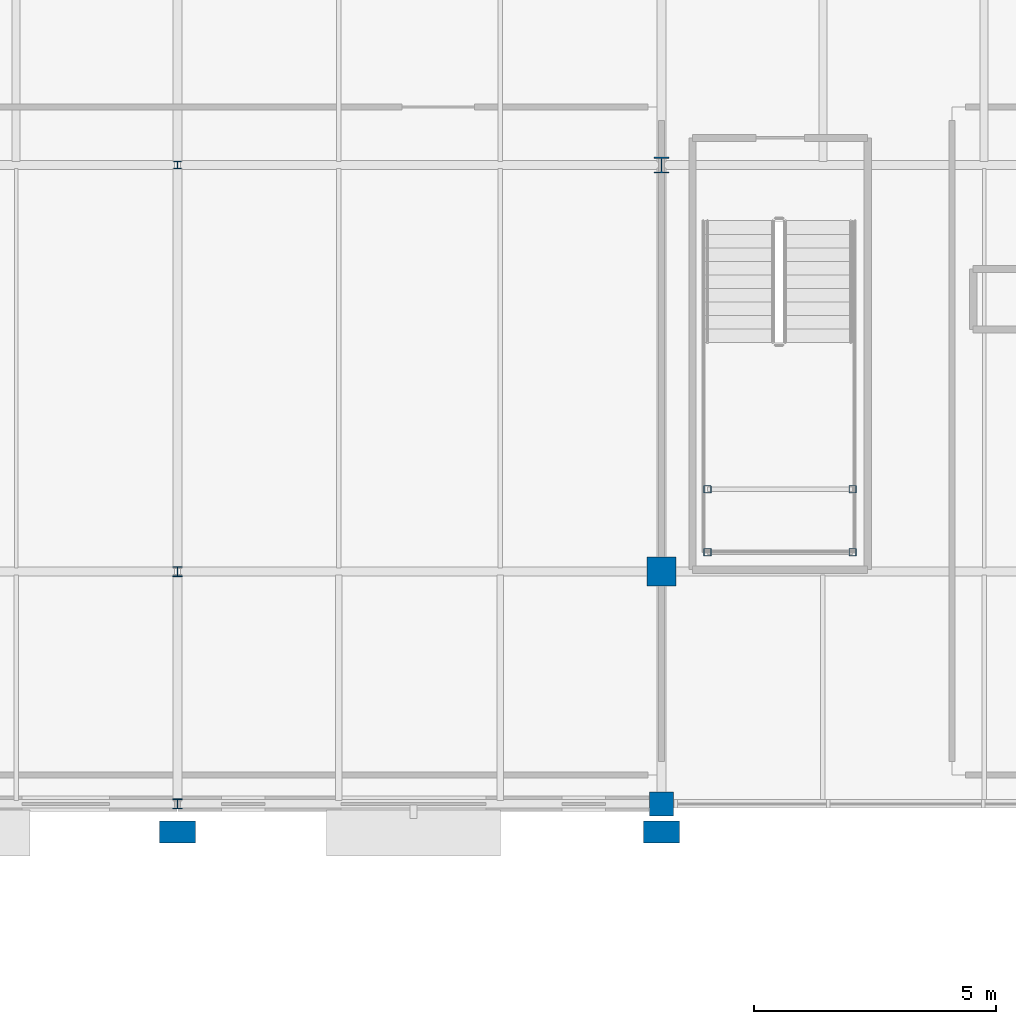
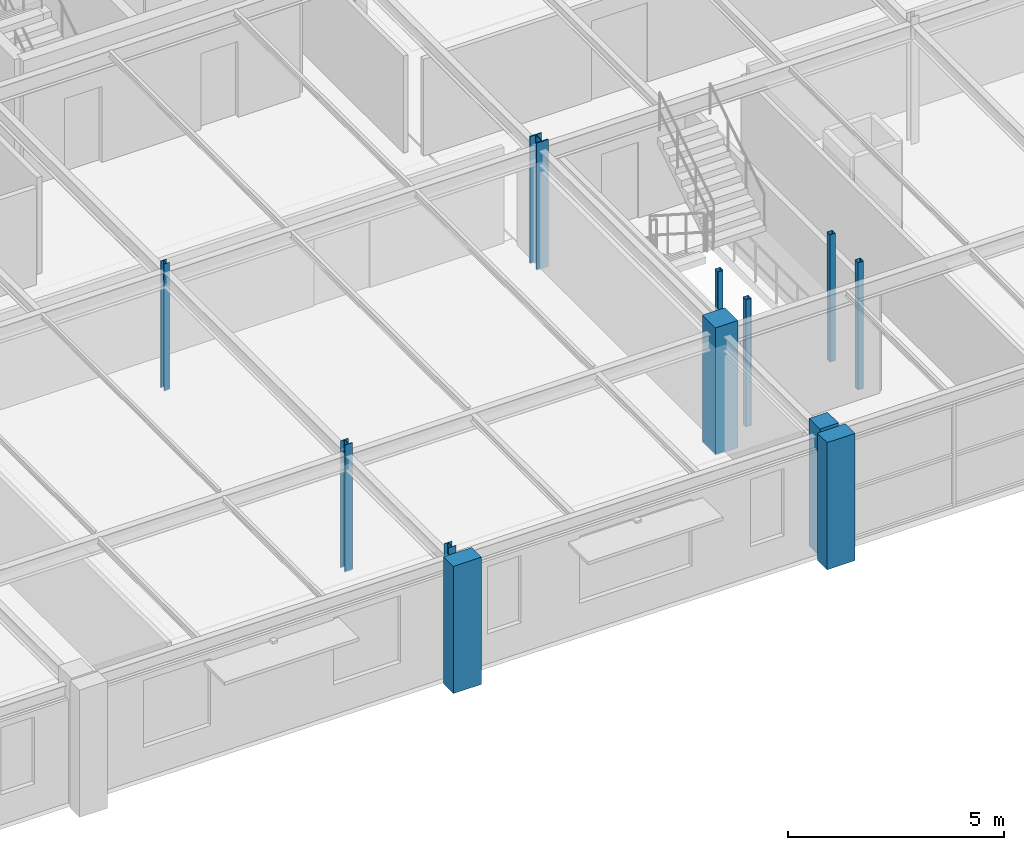
# One storey, part 18 of 109: 12 columns.
"""IFC4 building model written with IfcOpenShell, lengths in metres."""

from ifc_helpers import new_model, si_unit, derived_unit, direction, frame, origin, origin_2d_with_axis, place, context, subcontext, project, spatial, rectangle, hollow_rectangle, i_section, extrude, material, material_profile, profile_set, type_object, element, save


model = new_model("IFC4")

# Units and contexts
model_context = context("Model", 3, precision=1e-05, world=origin(), true_north=direction((0.0, 1.0)))
body_context = subcontext(model_context, "Body", "Model", "MODEL_VIEW")
ifc_project = project(units=[si_unit("LENGTHUNIT", "METRE"), si_unit("AREAUNIT", "SQUARE_METRE"), si_unit("VOLUMEUNIT", "CUBIC_METRE"), si_unit("PLANEANGLEUNIT", "RADIAN"), si_unit("MASSUNIT", "GRAM", prefix="KILO"), derived_unit("THERMALTRANSMITTANCEUNIT", [(si_unit("POWERUNIT", "WATT"), 1), (si_unit("LENGTHUNIT", "METRE"), -2), (si_unit("THERMODYNAMICTEMPERATUREUNIT", "KELVIN"), -1)])], contexts=[model_context])

# Site, building, storey
site_placement = place(None, origin())
site = spatial("IfcSite", under=ifc_project, at=site_placement, CompositionType="ELEMENT")
building_placement = place(site_placement, origin())
building = spatial("IfcBuilding", under=site, at=building_placement, Name="Cinnabar Yard Market Hall", CompositionType="ELEMENT")
storey_placement = place(building_placement, frame((0.0, 0.0, 8.39990234375)))
storey = spatial("IfcBuildingStorey", under=building, at=storey_placement, Name="L02", CompositionType="ELEMENT", Elevation=8.39990234375)

# Columns
ifc_material_1 = material(Name="Steel Grade 350 (350 MPa)", Category="steel")
ifc_material_profile_1 = material_profile(ifc_material_1, i_section(OverallWidth=0.311279296875, OverallDepth=0.3271484375, WebThickness=0.015625, FlangeThickness=0.02490234375, FilletRadius=0.0166015625, at=origin_2d_with_axis()), Name="310UC158")
ifc_profile_set_1 = profile_set([ifc_material_profile_1], Name="Steel Grade 350 (350 MPa)")
column_type_1 = type_object("IfcColumnType", Name="COL-C06", PredefinedType="COLUMN", material=ifc_profile_set_1)
column_1_placement = place(storey_placement, frame((106.0, 121.199951171875, 0.0), z_axis=(0.0, 0.0, 1.0), x_axis=(1.0, 0.0, 0.0)))
element("IfcColumn", 1, at=column_1_placement, inside=storey, type_object=column_type_1, Name="Wing Column V3-05-03 L02", PredefinedType="COLUMN", context=body_context, shape_type="SweptSolid", body=[
    extrude(i_section(OverallWidth=0.311279296875, OverallDepth=0.3271484375, WebThickness=0.015625, FlangeThickness=0.02490234375, FilletRadius=0.0166015625, at=origin_2d_with_axis()), origin(), (0.0, 0.0, 1.0), 3.60009765625),
])
ifc_material_2 = material(Name="Steel Grade 300 (300 MPa)", Category="steel")
ifc_material_profile_2 = material_profile(ifc_material_2, i_section(OverallWidth=0.203369140625, OverallDepth=0.203369140625, WebThickness=0.00732421875, FlangeThickness=0.010986328125, FilletRadius=0.011474609375, at=origin_2d_with_axis()), Name="200UC46.2")
ifc_profile_set_2 = profile_set([ifc_material_profile_2], Name="Steel Grade 300 (300 MPa)")
column_type_2 = type_object("IfcColumnType", Name="COL-C13E", PredefinedType="COLUMN", material=ifc_profile_set_2)
column_2_placement = place(storey_placement, frame((96.0, 108.0, 0.0), z_axis=(0.0, 0.0, 1.0), x_axis=(1.0, 0.0, 0.0)))
element("IfcColumn", 2, at=column_2_placement, inside=storey, type_object=column_type_2, Name="Wing Column V3-04-01 L02", PredefinedType="COLUMN", context=body_context, shape_type="SweptSolid", body=[
    extrude(i_section(OverallWidth=0.203369140625, OverallDepth=0.203369140625, WebThickness=0.00732421875, FlangeThickness=0.010986328125, FilletRadius=0.011474609375, at=origin_2d_with_axis()), origin(), (0.0, 0.0, 1.0), 3.60009765625),
])
ifc_material_3 = material(Name="Cold-formed steel C350L0", Category="steel")
ifc_material_profile_3 = material_profile(ifc_material_3, hollow_rectangle(XDim=0.14990234375, YDim=0.14990234375, WallThickness=0.006103515625, InnerFilletRadius=0.006103515625, OuterFilletRadius=0.011962890625, at=origin_2d_with_axis()), Name="150x150x6.0SHS")
ifc_profile_set_3 = profile_set([ifc_material_profile_3], Name="Cold-formed steel C350L0")
column_type_3 = type_object("IfcColumnType", Name="COL-C16", PredefinedType="COLUMN", material=ifc_profile_set_3)
for number, where, z_axis, x_axis, name in (
    (3, (106.949951171875, 113.199951171875, 0.0), (0.0, 0.0, 1.0), (1.0, 0.0, 0.0), "Feature Stair Post ST-F4-1 L02"),
    (4, (109.949951171875, 113.199951171875, 0.0), (0.0, 0.0, 1.0), (1.0, 0.0, 0.0), "Feature Stair Post ST-F4-2 L02"),
    (5, (106.949951171875, 114.5, 0.0), (0.0, 0.0, 1.0), (1.0, 0.0, 0.0), "Feature Stair Post ST-F4-3 L02"),
    (6, (109.949951171875, 114.5, 0.0), (0.0, 0.0, 1.0), (1.0, 0.0, 0.0), "Feature Stair Post ST-F4-4 L02"),
):
    element("IfcColumn", number, at=place(storey_placement, frame(where, z_axis=z_axis, x_axis=x_axis)), inside=storey, type_object=column_type_3, Name=name, PredefinedType="COLUMN", context=body_context, shape_type="SweptSolid", body=[
        extrude(hollow_rectangle(XDim=0.14990234375, YDim=0.14990234375, WallThickness=0.006103515625, InnerFilletRadius=0.006103515625, OuterFilletRadius=0.011962890625, at=origin_2d_with_axis()), origin(), (0.0, 0.0, 1.0), 3.60009765625),
    ])
ifc_material_profile_4 = material_profile(ifc_material_2, i_section(OverallWidth=0.205078125, OverallDepth=0.209716796875, WebThickness=0.00927734375, FlangeThickness=0.01416015625, FilletRadius=0.011474609375, at=origin_2d_with_axis()), Name="200UC59.5")
ifc_profile_set_4 = profile_set([ifc_material_profile_4], Name="Steel Grade 300 (300 MPa)")
column_type_4 = type_object("IfcColumnType", Name="COL-C17", PredefinedType="COLUMN", material=ifc_profile_set_4)
column_3_placement = place(storey_placement, frame((96.0, 112.800048828125, 0.0), z_axis=(0.0, 0.0, 1.0), x_axis=(1.0, 0.0, 0.0)))
element("IfcColumn", 7, at=column_3_placement, inside=storey, type_object=column_type_4, Name="Wing Column V3-04-02 L02", PredefinedType="COLUMN", context=body_context, shape_type="SweptSolid", body=[
    extrude(i_section(OverallWidth=0.205078125, OverallDepth=0.209716796875, WebThickness=0.00927734375, FlangeThickness=0.01416015625, FilletRadius=0.011474609375, at=origin_2d_with_axis()), origin(), (0.0, 0.0, 1.0), 3.60009765625),
])
ifc_material_profile_5 = material_profile(ifc_material_2, i_section(OverallWidth=0.15283203125, OverallDepth=0.15771484375, WebThickness=0.006591796875, FlangeThickness=0.009521484375, FilletRadius=0.0087890625, at=origin_2d_with_axis()), Name="150UC30.0")
ifc_profile_set_5 = profile_set([ifc_material_profile_5], Name="Steel Grade 300 (300 MPa)")
column_type_5 = type_object("IfcColumnType", Name="COL-C18", PredefinedType="COLUMN", material=ifc_profile_set_5)
column_4_placement = place(storey_placement, frame((96.0, 121.199951171875, 0.0), z_axis=(0.0, 0.0, 1.0), x_axis=(1.0, 0.0, 0.0)))
element("IfcColumn", 8, at=column_4_placement, inside=storey, type_object=column_type_5, Name="Wing Column V3-04-03 L02", PredefinedType="COLUMN", context=body_context, shape_type="SweptSolid", body=[
    extrude(i_section(OverallWidth=0.15283203125, OverallDepth=0.15771484375, WebThickness=0.006591796875, FlangeThickness=0.009521484375, FilletRadius=0.0087890625, at=origin_2d_with_axis()), origin(), (0.0, 0.0, 1.0), 3.60009765625),
])
ifc_material_4 = material(Name="Concrete 40 MPa", Category="concrete")
ifc_material_profile_6 = material_profile(ifc_material_4, rectangle(XDim=0.75, YDim=0.449951171875, at=origin_2d_with_axis()), Name="RC-750x450")
ifc_profile_set_6 = profile_set([ifc_material_profile_6], Name="Concrete 40 MPa")
column_type_6 = type_object("IfcColumnType", Name="COL-PIL1E", PredefinedType="PILASTER", material=ifc_profile_set_6)
for number, where, z_axis, x_axis, name in (
    (9, (96.0, 107.419921875, 0.0), (0.0, 0.0, 1.0), (1.0, 0.0, 0.0), "Engaged Pilaster 03 L02"),
    (10, (106.0, 107.419921875, 0.0), (0.0, 0.0, 1.0), (1.0, 0.0, 0.0), "Engaged Pilaster 04 L02"),
):
    element("IfcColumn", number, at=place(storey_placement, frame(where, z_axis=z_axis, x_axis=x_axis)), inside=storey, type_object=column_type_6, Name=name, PredefinedType="PILASTER", context=body_context, shape_type="SweptSolid", body=[
        extrude(rectangle(XDim=0.75, YDim=0.449951171875, at=origin_2d_with_axis()), origin(), (0.0, 0.0, 1.0), 3.60009765625),
    ])
ifc_material_profile_7 = material_profile(ifc_material_4, rectangle(XDim=0.5, YDim=0.5, at=origin_2d_with_axis()), Name="RC-500x500")
ifc_profile_set_7 = profile_set([ifc_material_profile_7], Name="Concrete 40 MPa")
column_type_7 = type_object("IfcColumnType", Name="COL-RC1E", PredefinedType="COLUMN", material=ifc_profile_set_7)
column_5_placement = place(storey_placement, frame((106.0, 108.0, 0.0), z_axis=(0.0, 0.0, 1.0), x_axis=(1.0, 0.0, 0.0)))
element("IfcColumn", 11, at=column_5_placement, inside=storey, type_object=column_type_7, Name="Wing Column V3-05-01 L02", PredefinedType="COLUMN", context=body_context, shape_type="SweptSolid", body=[
    extrude(rectangle(XDim=0.5, YDim=0.5, at=origin_2d_with_axis()), origin(), (0.0, 0.0, 1.0), 3.60009765625),
])
ifc_material_profile_8 = material_profile(ifc_material_4, rectangle(XDim=0.60009765625, YDim=0.60009765625, at=origin_2d_with_axis()), Name="RC-600x600")
ifc_profile_set_8 = profile_set([ifc_material_profile_8], Name="Concrete 40 MPa")
column_type_8 = type_object("IfcColumnType", Name="COL-RC2", PredefinedType="COLUMN", material=ifc_profile_set_8)
column_6_placement = place(storey_placement, frame((106.0, 112.800048828125, 0.0), z_axis=(0.0, 0.0, 1.0), x_axis=(1.0, 0.0, 0.0)))
element("IfcColumn", 12, at=column_6_placement, inside=storey, type_object=column_type_8, Name="Wing Column V3-05-02 L02", PredefinedType="COLUMN", context=body_context, shape_type="SweptSolid", body=[
    extrude(rectangle(XDim=0.60009765625, YDim=0.60009765625, at=origin_2d_with_axis()), origin(), (0.0, 0.0, 1.0), 3.60009765625),
])

save(model, "model.ifc")
